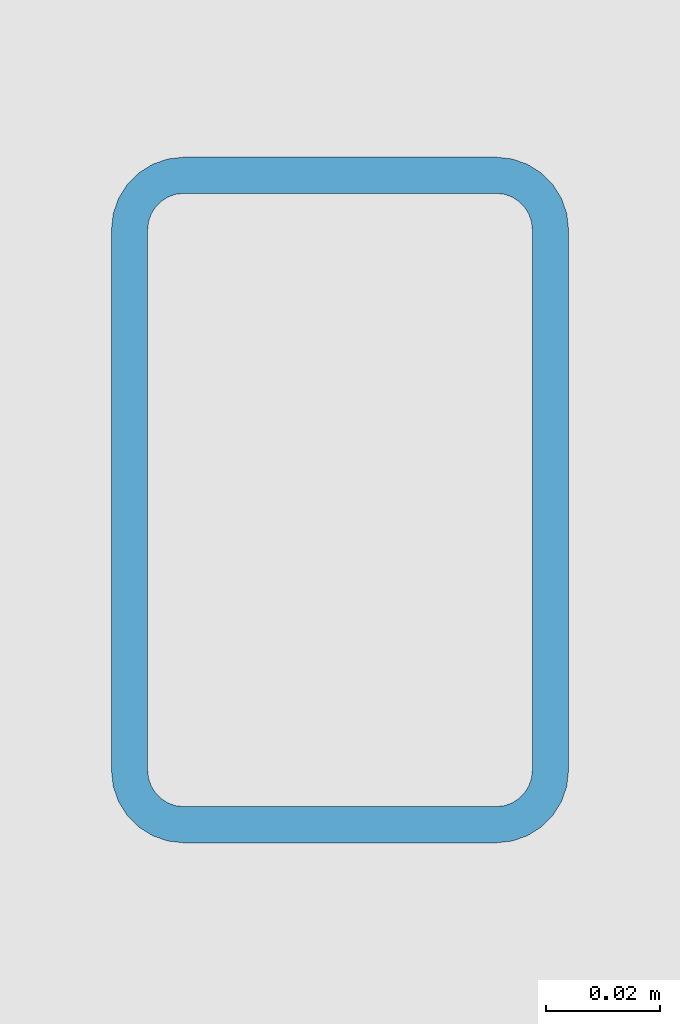
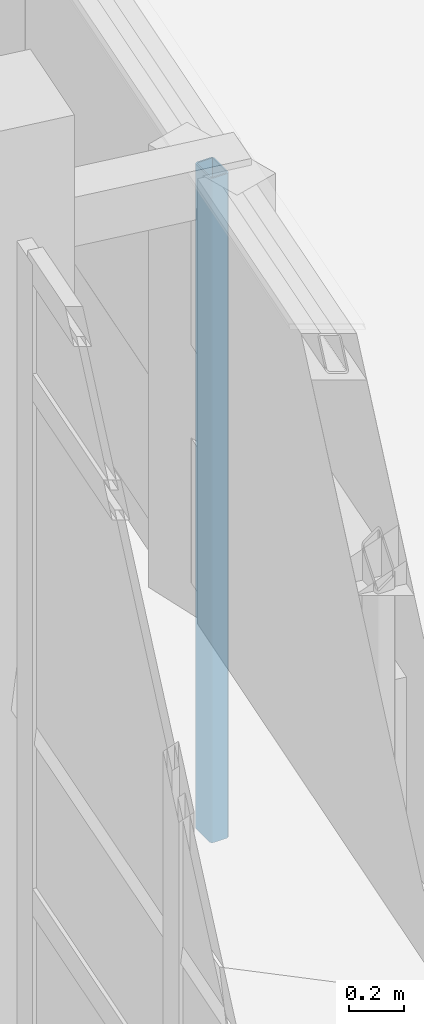
# One storey, part 82 of 137: 1 member.
"""IFC4 building model written with IfcOpenShell, lengths in metres."""

from ifc_helpers import new_model, si_unit, direction, frame, origin, origin_2d, place, context, subcontext, project, spatial, hollow_rectangle, extrude, material, material_profile, profile_set, type_object, element, save


model = new_model("IFC4")

# Units and contexts
model_context = context("Model", 3, precision=1e-05, world=origin(), true_north=direction((0.0, 1.0)))
body_context = subcontext(model_context, "Body", "Model", "MODEL_VIEW")
ifc_project = project(units=[si_unit("LENGTHUNIT", "METRE"), si_unit("AREAUNIT", "SQUARE_METRE"), si_unit("VOLUMEUNIT", "CUBIC_METRE"), si_unit("PLANEANGLEUNIT", "RADIAN"), si_unit("MASSUNIT", "GRAM", prefix="KILO")], contexts=[model_context])

# Site, building, storey
site_placement = place(None, origin())
site = spatial("IfcSite", under=ifc_project, at=site_placement, CompositionType="ELEMENT")
building_placement = place(site_placement, origin())
building = spatial("IfcBuilding", under=site, at=building_placement, Name="Cinderway Yard Community Centre", CompositionType="ELEMENT")
storey_placement = place(building_placement, frame((0.0, 0.0, 4.800048828125)))
storey = spatial("IfcBuildingStorey", under=building, at=storey_placement, Name="L01", CompositionType="ELEMENT", Elevation=4.800048828125)

# Member
ifc_material = material(Name="Steel S355", Category="steel")
ifc_material_profile = material_profile(ifc_material, hollow_rectangle(XDim=0.080078125, YDim=0.1201171875, WallThickness=0.00634765625, InnerFilletRadius=0.00634765625, OuterFilletRadius=0.0126953125, at=origin_2d()), Name="Steel S355")
ifc_profile_set = profile_set([ifc_material_profile], Name="Steel S355")
member_type = type_object("IfcMemberType", Name="ENV-MEM-SCREEN-RAIL-120", PredefinedType="STRINGER", material=ifc_profile_set)
member_placement = place(storey_placement, frame((151.662109375, 53.322998046875, 0.68994140625), z_axis=(0.0, 0.0, 1.0), x_axis=(1.0, 0.0, 0.0)))
element("IfcMember", 1, at=member_placement, inside=storey, type_object=member_type, Name="Screen vertical mullion 1024", PredefinedType="STRINGER", context=body_context, shape_type="SweptSolid", body=[
    extrude(hollow_rectangle(XDim=0.080078125, YDim=0.1201171875, WallThickness=0.00634765625, InnerFilletRadius=0.00634765625, OuterFilletRadius=0.0126953125, at=origin_2d()), origin(), (0.0, 0.0, 1.0), 2.969970703125),
])

save(model, "model.ifc")
